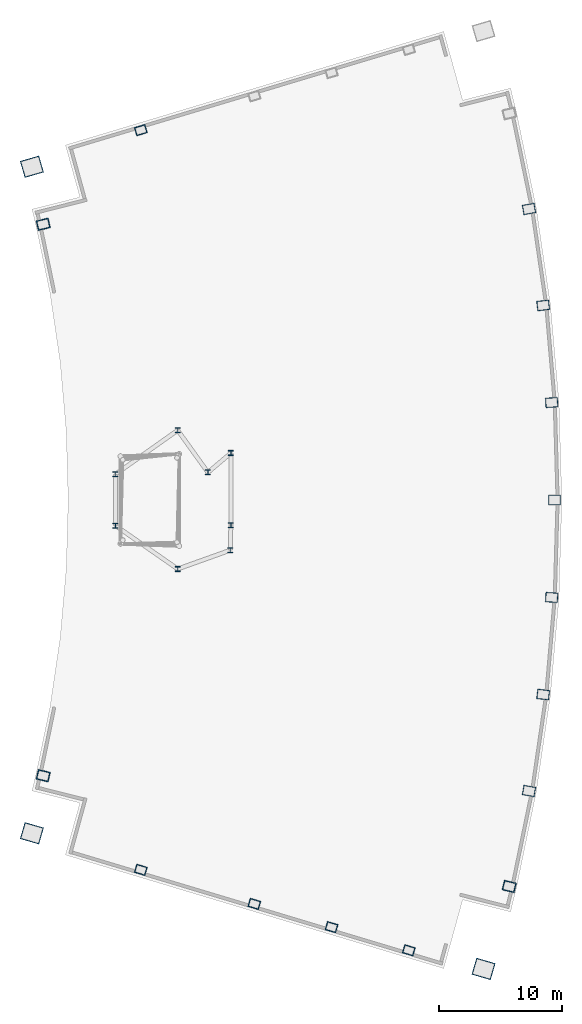
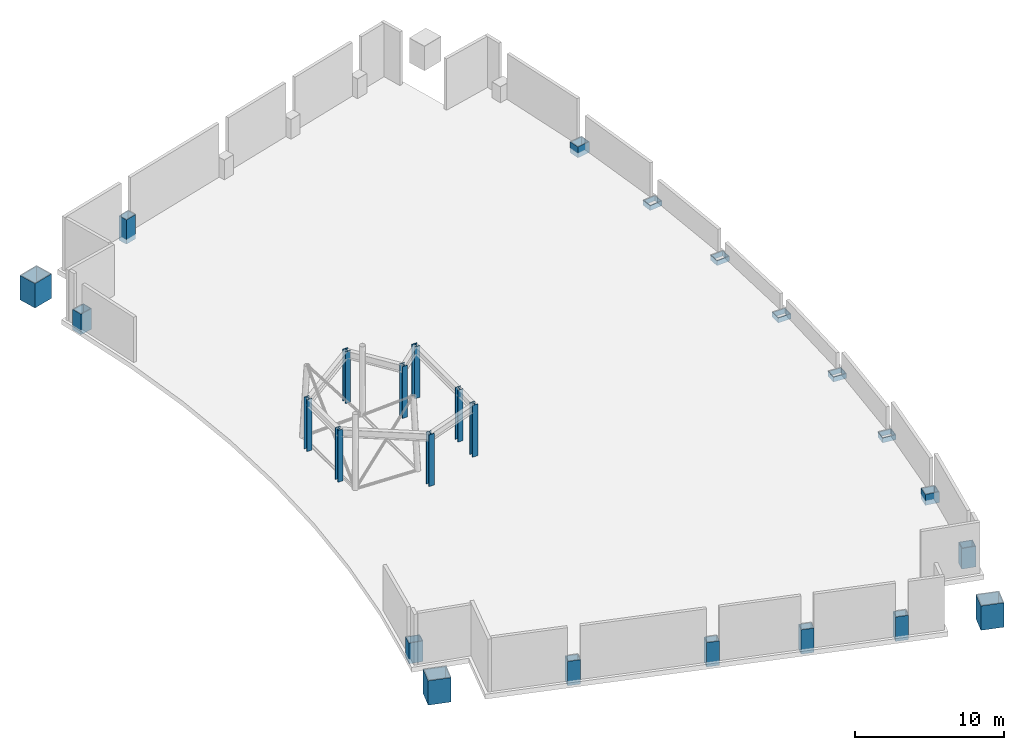
# One storey, part 1 of 4: 26 columns.
"""IFC4 building model written with IfcOpenShell, lengths in metres."""

from ifc_helpers import new_model, si_unit, direction, frame, origin, origin_2d, place, context, subcontext, project, spatial, hollow_rectangle, i_section, extrude, material, material_profile, profile_set, type_object, element, save


model = new_model("IFC4")

# Units and contexts
model_context = context("Model", 3, precision=1e-05, world=origin(), true_north=direction((0.0, 1.0)))
body_context = subcontext(model_context, "Body", "Model", "MODEL_VIEW")
ifc_project = project(units=[si_unit("LENGTHUNIT", "METRE"), si_unit("AREAUNIT", "SQUARE_METRE"), si_unit("VOLUMEUNIT", "CUBIC_METRE"), si_unit("PLANEANGLEUNIT", "RADIAN"), si_unit("MASSUNIT", "GRAM", prefix="KILO")], contexts=[model_context])

# Site, building, storey
site_placement = place(None, origin())
site = spatial("IfcSite", under=ifc_project, at=site_placement, CompositionType="ELEMENT")
building_placement = place(site_placement, origin())
building = spatial("IfcBuilding", under=site, at=building_placement, Name="Alderwake Tower", CompositionType="ELEMENT")
storey_placement = place(building_placement, frame((0.0, 0.0, 314.60009765625)))
storey = spatial("IfcBuildingStorey", under=building, at=storey_placement, Name="Roof", CompositionType="ELEMENT", Elevation=314.60009765625)

# Columns
ifc_material_1 = material(Name="Steel ASTM A992 Grade 50", Category="steel")
ifc_material_profile_1 = material_profile(ifc_material_1, i_section(OverallWidth=0.403564453125, OverallDepth=0.407470703125, WebThickness=0.027099609375, FlangeThickness=0.043701171875, at=origin_2d()), Name="W14X233")
ifc_profile_set_1 = profile_set([ifc_material_profile_1], Name="Steel ASTM A992 Grade 50")
column_type_1 = type_object("IfcColumnType", Name="Drum column W14X233", PredefinedType="COLUMN", material=ifc_profile_set_1)
for number, where, z_axis, x_axis, name in (
    (1, (19.830810546875, 58.92333984375, 0.39990234375), (0.0, 0.0, 1.0), (1.0, 0.0, 0.0), "Drum column DC.1"),
    (2, (24.87744140625, 55.4111328125, 0.39990234375), (0.0, 0.0, 1.0), (1.0, 0.0, 0.0), "Drum column DC.2"),
    (3, (29.13623046875, 56.935546875, 0.39990234375), (0.0, 0.0, 1.0), (1.0, 0.0, 0.0), "Drum column DC.3"),
    (4, (29.18115234375, 58.96630859375, 0.39990234375), (0.0, 0.0, 1.0), (1.0, 0.0, 0.0), "Drum column DC.4"),
    (5, (29.1865234375, 64.807861328125, 0.39990234375), (0.0, 0.0, 1.0), (1.0, 0.0, 0.0), "Drum column DC.5"),
    (6, (27.324951171875, 63.232666015625, 0.39990234375), (0.0, 0.0, 1.0), (1.0, 0.0, 0.0), "Drum column DC.6"),
    (7, (24.87548828125, 66.6484375, 0.39990234375), (0.0, 0.0, 1.0), (1.0, 0.0, 0.0), "Drum column DC.7"),
    (8, (19.819091796875, 63.076416015625, 0.39990234375), (0.0, 0.0, 1.0), (1.0, 0.0, 0.0), "Drum column DC.8"),
):
    element("IfcColumn", number, at=place(storey_placement, frame(where, z_axis=z_axis, x_axis=x_axis)), inside=storey, type_object=column_type_1, Name=name, PredefinedType="COLUMN", context=body_context, shape_type="SweptSolid", body=[
        extrude(i_section(OverallWidth=0.403564453125, OverallDepth=0.407470703125, WebThickness=0.027099609375, FlangeThickness=0.043701171875, at=origin_2d()), origin(), (0.0, 0.0, 1.0), 4.25),
    ])
ifc_material_2 = material(Name="Steel ASTM A572 Grade 50 concrete filled C70/85", Category="concrete")
ifc_material_profile_2 = material_profile(ifc_material_2, hollow_rectangle(XDim=0.699951171875, YDim=0.89990234375, WallThickness=0.050048828125, at=origin_2d()), Name="BOX 900X700X50")
ifc_profile_set_2 = profile_set([ifc_material_profile_2], Name="Steel ASTM A572 Grade 50 concrete filled C70/85")
column_type_2 = type_object("IfcColumnType", Name="End column Z5", PredefinedType="COLUMN", material=ifc_profile_set_2)
for number, where, z_axis, x_axis, name in (
    (9, (21.885498046875, 31.03759765625, 0.0), (0.0, 0.0, 1.0), (0.282132160283, 0.95937554906, 0.0), "Column R02-C1"),
    (10, (31.080322265625, 28.27685546875, 0.0), (0.0, 0.0, 1.0), (0.282582549822, 0.959242984095, 0.0), "Column R02-C2"),
    (11, (37.337890625, 26.398193359375, 0.0), (0.0, 0.0, 1.0), (0.282847061859, 0.959165022088, 0.0), "Column R02-C3"),
    (12, (43.59521484375, 24.51953125, 0.0), (0.0, 0.0, 1.0), (0.283086443451, 0.959094398656, 0.0), "Column R02-C4"),
    (13, (21.885498046875, 90.96240234375, 0.0), (0.0, 0.0, 1.0), (-0.282132160283, 0.95937554906, 0.0), "Column R12-C1"),
):
    element("IfcColumn", number, at=place(storey_placement, frame(where, z_axis=z_axis, x_axis=x_axis)), inside=storey, type_object=column_type_2, Name=name, PredefinedType="COLUMN", context=body_context, shape_type="SweptSolid", body=[
        extrude(hollow_rectangle(XDim=0.699951171875, YDim=0.89990234375, WallThickness=0.050048828125, at=origin_2d()), origin(), (0.0, 0.0, 1.0), 2.0),
    ])
ifc_material_3 = material(Name="Steel ASTM A572 Grade 50 concrete filled C70/85", Category="concrete")
ifc_material_profile_3 = material_profile(ifc_material_3, hollow_rectangle(XDim=1.39990234375, YDim=1.60009765625, WallThickness=0.070068359375, at=origin_2d()), Name="BOX 1600X1400X70")
ifc_profile_set_3 = profile_set([ifc_material_profile_3], Name="Steel ASTM A572 Grade 50 concrete filled C70/85")
column_type_3 = type_object("IfcColumnType", Name="Mega column Z5", PredefinedType="COLUMN", material=ifc_profile_set_3)
for number, where, z_axis, x_axis, name in (
    (14, (13.06298828125, 34.00244140625, 0.0), (0.0, 0.0, 1.0), (0.278612301868, 0.960403657452, 0.0), "Column R02-C0"),
    (15, (49.6494140625, 23.01318359375, 0.0), (0.0, 0.0, 1.0), (0.281175922972, 0.959656240714, 0.0), "Column R02-C5"),
    (16, (13.06298828125, 87.99755859375, 0.0), (0.0, 0.0, 1.0), (-0.278612301868, 0.960403657452, 0.0), "Column R12-C0"),
):
    element("IfcColumn", number, at=place(storey_placement, frame(where, z_axis=z_axis, x_axis=x_axis)), inside=storey, type_object=column_type_3, Name=name, PredefinedType="COLUMN", context=body_context, shape_type="SweptSolid", body=[
        extrude(hollow_rectangle(XDim=1.39990234375, YDim=1.60009765625, WallThickness=0.070068359375, at=origin_2d()), origin(), (0.0, 0.0, 1.0), 2.0),
    ])
ifc_material_4 = material(Name="Steel ASTM A572 Grade 50 concrete filled C70/85", Category="concrete")
ifc_material_profile_4 = material_profile(ifc_material_4, hollow_rectangle(XDim=0.800048828125, YDim=1.0, WallThickness=0.054931640625, at=origin_2d()), Name="BOX 1000X800X55")
ifc_profile_set_4 = profile_set([ifc_material_profile_4], Name="Steel ASTM A572 Grade 50 concrete filled C70/85")
column_type_4 = type_object("IfcColumnType", Name="Perimeter column Z5", PredefinedType="COLUMN", material=ifc_profile_set_4)
for number, where, z_axis, x_axis, name in (
    (17, (13.982177734375, 38.6640625, 0.0), (0.0, 0.0, 1.0), (0.231221547198, 0.972901123502, 0.0), "Column R03-C0"),
    (18, (51.730712890625, 29.692626953125, 0.0), (0.0, 0.0, 1.0), (0.231221547198, 0.972901123502, 0.0), "Column R03-C5"),
):
    element("IfcColumn", number, at=place(storey_placement, frame(where, z_axis=z_axis, x_axis=x_axis)), inside=storey, type_object=column_type_4, Name=name, PredefinedType="COLUMN", context=body_context, shape_type="SweptSolid", body=[
        extrude(hollow_rectangle(XDim=0.800048828125, YDim=1.0, WallThickness=0.054931640625, at=origin_2d()), origin(), (0.0, 0.0, 1.0), 1.6943359375),
    ])
column_1_placement = place(storey_placement, frame((53.33203125, 37.42578125, 0.0), z_axis=(0.0, 0.0, 1.0), x_axis=(0.174107082075, 0.984726725529, 0.0)))
element("IfcColumn", 19, at=column_1_placement, inside=storey, type_object=column_type_4, Name="Column R04-C5", PredefinedType="COLUMN", context=body_context, shape_type="SweptSolid", body=[
    extrude(hollow_rectangle(XDim=0.800048828125, YDim=1.0, WallThickness=0.054931640625, at=origin_2d()), origin(), (0.0, 0.0, 1.0), 0.894287109375),
])
for number, where, z_axis, x_axis, name in (
    (20, (54.4794921875, 45.239013671875, 0.0), (0.0, 0.0, 1.0), (0.116402054316, 0.993202175668, 0.0), "Column R05-C5"),
    (21, (55.169677734375, 53.106201171875, 0.0), (0.0, 0.0, 1.0), (0.058301061284, 0.998299046505, 0.0), "Column R06-C5"),
    (22, (55.39990234375, 61.0, 0.0), (0.0, 0.0, 1.0), (0.0, 1.0, 0.0), "Column R07-C5"),
    (23, (55.169677734375, 68.893798828125, 0.0), (0.0, 0.0, 1.0), (-0.058301061284, 0.998299046505, 0.0), "Column R08-C5"),
    (24, (54.4794921875, 76.760986328125, 0.0), (0.0, 0.0, 1.0), (-0.116402054316, 0.993202175668, 0.0), "Column R09-C5"),
):
    element("IfcColumn", number, at=place(storey_placement, frame(where, z_axis=z_axis, x_axis=x_axis)), inside=storey, type_object=column_type_4, Name=name, PredefinedType="COLUMN", context=body_context, shape_type="SweptSolid", body=[
        extrude(hollow_rectangle(XDim=0.800048828125, YDim=1.0, WallThickness=0.054931640625, at=origin_2d()), origin(), (0.0, 0.0, 1.0), 0.39990234375),
    ])
column_2_placement = place(storey_placement, frame((53.33203125, 84.57421875, 0.0), z_axis=(0.0, 0.0, 1.0), x_axis=(-0.174107082075, 0.984726725529, 0.0)))
element("IfcColumn", 25, at=column_2_placement, inside=storey, type_object=column_type_4, Name="Column R10-C5", PredefinedType="COLUMN", context=body_context, shape_type="SweptSolid", body=[
    extrude(hollow_rectangle(XDim=0.800048828125, YDim=1.0, WallThickness=0.054931640625, at=origin_2d()), origin(), (0.0, 0.0, 1.0), 0.894287109375),
])
column_3_placement = place(storey_placement, frame((13.982177734375, 83.3359375, 0.0), z_axis=(0.0, 0.0, 1.0), x_axis=(-0.231221547198, 0.972901123502, 0.0)))
element("IfcColumn", 26, at=column_3_placement, inside=storey, type_object=column_type_4, Name="Column R11-C0", PredefinedType="COLUMN", context=body_context, shape_type="SweptSolid", body=[
    extrude(hollow_rectangle(XDim=0.800048828125, YDim=1.0, WallThickness=0.054931640625, at=origin_2d()), origin(), (0.0, 0.0, 1.0), 1.6943359375),
])

save(model, "model.ifc")
